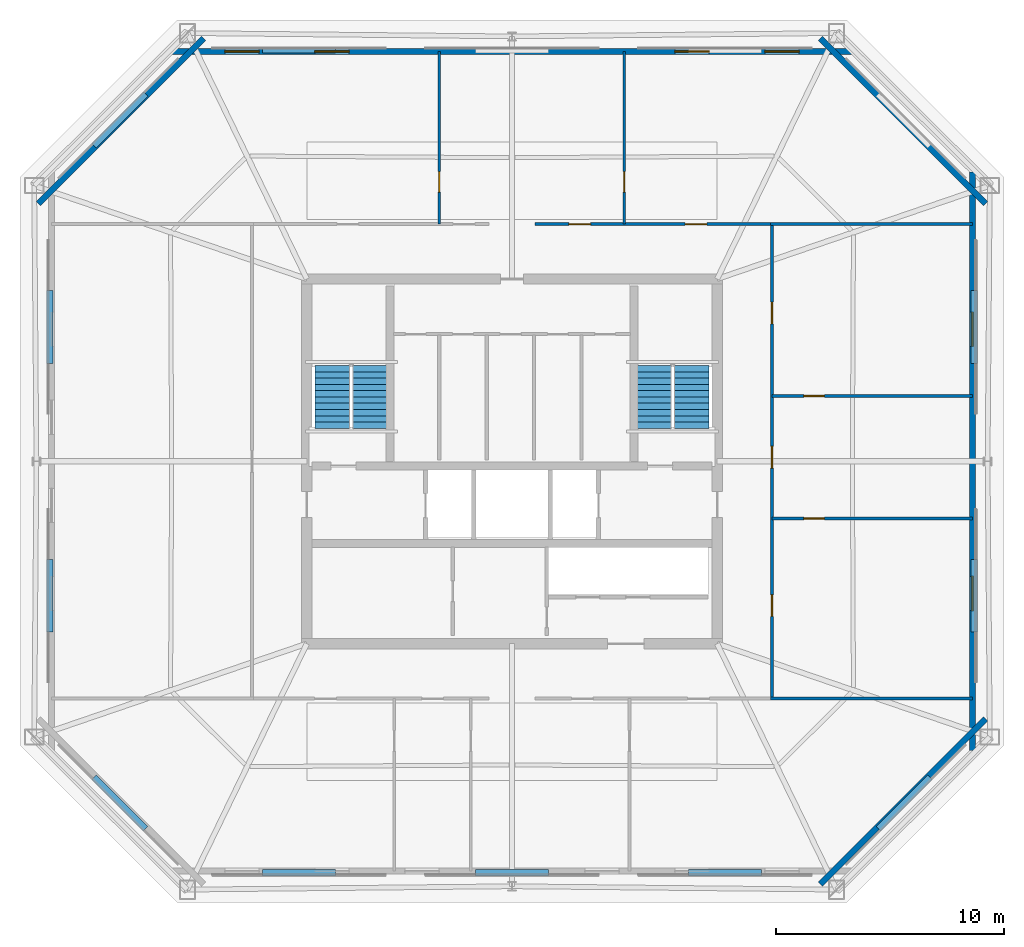
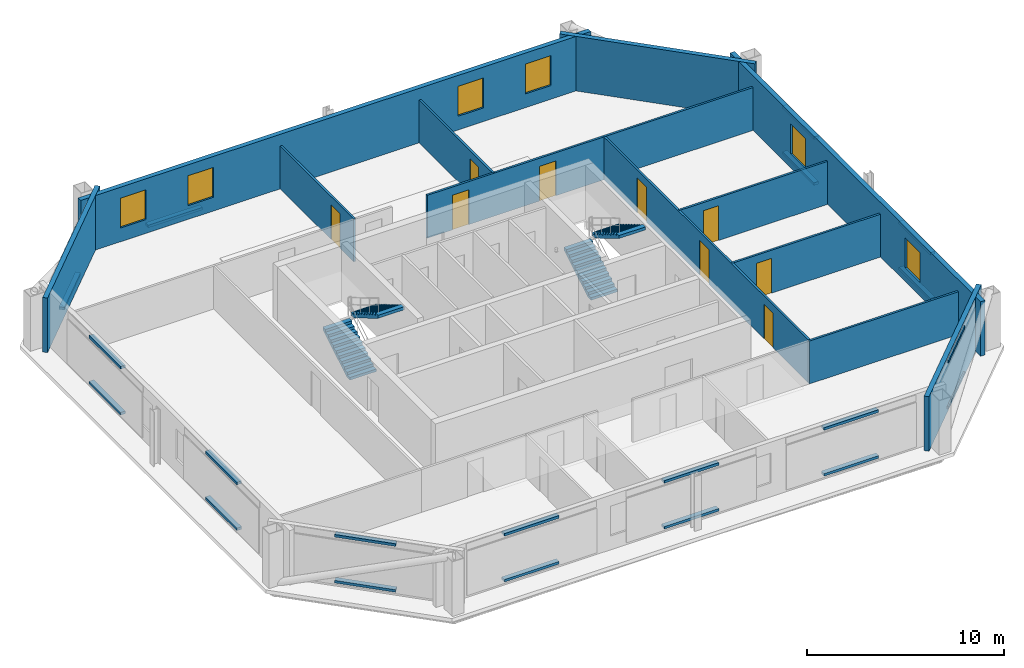
# One storey, part 4 of 7: 21 discrete accessories, 13 walls, 9 doors, 6 windows, 4 stair flights, 15 openings, 2 elements without a shape of their own.
"""IFC4 building model written with IfcOpenShell, lengths in metres."""

from ifc_helpers import new_model, si_unit, direction, frame, frame_2d, origin, origin_2d, place, context, subcontext, project, spatial, polyline, rectangle, outline, extrude, material, layer, layer_set, type_object, element, fill, aggregate, save


model = new_model("IFC4")

# Units and contexts
model_context = context("Model", 3, precision=1e-05, world=origin(), true_north=direction((0.0, 1.0)))
body_context = subcontext(model_context, "Body", "Model", "MODEL_VIEW")
ifc_project = project(units=[si_unit("LENGTHUNIT", "METRE"), si_unit("AREAUNIT", "SQUARE_METRE"), si_unit("VOLUMEUNIT", "CUBIC_METRE"), si_unit("PLANEANGLEUNIT", "RADIAN"), si_unit("MASSUNIT", "GRAM", prefix="KILO")], contexts=[model_context])

# Site, building, storey
site_placement = place(None, origin())
site = spatial("IfcSite", under=ifc_project, at=site_placement, CompositionType="ELEMENT")
building_placement = place(site_placement, origin())
building = spatial("IfcBuilding", under=site, at=building_placement, Name="Caelvoria Tower", CompositionType="ELEMENT")
storey_placement = place(building_placement, frame((0.0, 0.0, 213.0)))
storey = spatial("IfcBuildingStorey", under=building, at=storey_placement, Name="L56", CompositionType="ELEMENT", Elevation=213.0)

# Wall, opening, door
ifc_material_1 = material(Name="Acoustic Gypsum Board on Light-Gauge Stud", Category="gypsum")
ifc_layer_1 = layer(ifc_material_1, 0.1201171875, Name="Acoustic Gypsum Board on Light-Gauge Stud")
ifc_layer_set_1 = layer_set([ifc_layer_1], Name="Tenant Suite Acoustic Partition Wall 120 - Acoustic Gypsum Board on Light-Gauge Stud")
wall_type_1 = type_object("IfcWallType", Name="Tenant Suite Acoustic Partition Wall 120", PredefinedType="PARTITIONING", material=ifc_layer_set_1)
wall_1_placement = place(storey_placement, frame((42.807373046875, 42.409912109375, 0.0), z_axis=(0.0, 0.0, 1.0), x_axis=(0.0, 1.0, 0.0)))
wall_1 = element("IfcWall", 1, at=wall_1_placement, inside=storey, type_object=wall_type_1, Name="Interior Partition IW-L56-ND-00-0", PredefinedType="PARTITIONING", context=body_context, shape_type="SweptSolid", body=[
    extrude(rectangle(XDim=7.57373046875, YDim=0.1201171875, at=frame_2d((3.786865234375, 0.0))), origin(), (0.0, 0.0, 1.0), 2.655029296875),
])
opening_1_placement = place(wall_1_placement, frame((1.39990234375, 0.0, 0.0)))
opening_1 = element("IfcOpeningElement", 2, at=opening_1_placement, cuts=wall_1, Name="Opening ID-06", PredefinedType="OPENING", context=body_context, shape_type="SweptSolid", body=[
    extrude(rectangle(XDim=0.89990234375, YDim=2.14990234375, at=frame_2d((0.449951171875, 1.074951171875))), frame((0.0, 0.070068359375, 0.0), z_axis=(0.0, -1.0, 0.0), x_axis=(1.0, 0.0, 0.0)), (0.0, 0.0, 1.0), 0.14013671875),
])
ifc_material_2 = material(Name="Engineered Andean Oak Veneer Door", Category="wood")
door_type_1 = type_object("IfcDoorType", Name="Interior Timber Door 900x2150", OperationType="NOTDEFINED", PredefinedType="DOOR", material=ifc_material_2)
door_1_placement = place(opening_1_placement, origin())
door_1 = element("IfcDoor", 3, at=door_1_placement, inside=storey, type_object=door_type_1, Name="Interior Door DR-L56-NM-00-0", OperationType="SINGLE_SWING_RIGHT", OverallHeight=2.14990234375, OverallWidth=0.89990234375, PredefinedType="DOOR", context=body_context, shape_type="SweptSolid", body=[
    extrude(rectangle(XDim=0.89990234375, YDim=2.14990234375, at=frame_2d((0.449951171875, 1.074951171875))), frame((0.0, 0.02490234375, 0.0), z_axis=(0.0, -1.0, 0.0), x_axis=(1.0, 0.0, 0.0)), (0.0, 0.0, 1.0), 0.050048828125),
])
fill(opening_1, door_1)

wall_2_placement = place(storey_placement, frame((50.930419921875, 42.409912109375, 0.0), z_axis=(0.0, 0.0, 1.0), x_axis=(0.0, 1.0, 0.0)))
wall_2 = element("IfcWall", 4, at=wall_2_placement, inside=storey, type_object=wall_type_1, Name="Interior Partition IW-L56-ND-01-0", PredefinedType="PARTITIONING", context=body_context, shape_type="SweptSolid", body=[
    extrude(rectangle(XDim=7.57373046875, YDim=0.1201171875, at=frame_2d((3.786865234375, 0.0))), origin(), (0.0, 0.0, 1.0), 2.655029296875),
])
opening_2_placement = place(wall_2_placement, frame((1.39990234375, 0.0, 0.0)))
opening_2 = element("IfcOpeningElement", 5, at=opening_2_placement, cuts=wall_2, Name="Opening ID-06", PredefinedType="OPENING", context=body_context, shape_type="SweptSolid", body=[
    extrude(rectangle(XDim=0.89990234375, YDim=2.14990234375, at=frame_2d((0.449951171875, 1.074951171875))), frame((0.0, 0.070068359375, 0.0), z_axis=(0.0, -1.0, 0.0), x_axis=(1.0, 0.0, 0.0)), (0.0, 0.0, 1.0), 0.14013671875),
])
door_2_placement = place(opening_2_placement, origin())
door_2 = element("IfcDoor", 6, at=door_2_placement, inside=storey, type_object=door_type_1, Name="Interior Door DR-L56-NM-01-0", OperationType="SINGLE_SWING_LEFT", OverallHeight=2.14990234375, OverallWidth=0.89990234375, PredefinedType="DOOR", context=body_context, shape_type="SweptSolid", body=[
    extrude(rectangle(XDim=0.89990234375, YDim=2.14990234375, at=frame_2d((0.449951171875, 1.074951171875))), frame((0.0, 0.02490234375, 0.0), z_axis=(0.0, -1.0, 0.0), x_axis=(1.0, 0.0, 0.0)), (0.0, 0.0, 1.0), 0.050048828125),
])
fill(opening_2, door_2)

# Wall, openings, doors
wall_3_placement = place(storey_placement, frame((47.02001953125, 42.409912109375, 0.0), z_axis=(0.0, 0.0, 1.0), x_axis=(1.0, 0.0, 0.0)))
wall_3 = element("IfcWall", 7, at=wall_3_placement, inside=storey, type_object=wall_type_1, Name="Interior Partition IW-L56-NCW-1", PredefinedType="PARTITIONING", context=body_context, shape_type="SweptSolid", body=[
    extrude(rectangle(XDim=10.330078125, YDim=0.1201171875, at=frame_2d((5.1650390625, 0.0))), origin(), (0.0, 0.0, 1.0), 2.655029296875),
])
opening_3_placement = place(wall_3_placement, frame((1.480224609375, 0.0, 0.0)))
opening_3 = element("IfcOpeningElement", 8, at=opening_3_placement, cuts=wall_3, Name="Opening ID-05", PredefinedType="OPENING", context=body_context, shape_type="SweptSolid", body=[
    extrude(rectangle(XDim=0.949951171875, YDim=2.14990234375, at=frame_2d((0.47509765625, 1.074951171875))), frame((0.0, 0.070068359375, 0.0), z_axis=(0.0, -1.0, 0.0), x_axis=(1.0, 0.0, 0.0)), (0.0, 0.0, 1.0), 0.14013671875),
])
opening_4_placement = place(wall_3_placement, frame((6.5751953125, 0.0, 0.0)))
opening_4 = element("IfcOpeningElement", 9, at=opening_4_placement, cuts=wall_3, Name="Opening ID-05", PredefinedType="OPENING", context=body_context, shape_type="SweptSolid", body=[
    extrude(rectangle(XDim=0.949951171875, YDim=2.14990234375, at=frame_2d((0.47509765625, 1.074951171875))), frame((0.0, 0.070068359375, 0.0), z_axis=(0.0, -1.0, 0.0), x_axis=(1.0, 0.0, 0.0)), (0.0, 0.0, 1.0), 0.14013671875),
])
door_type_2 = type_object("IfcDoorType", Name="Interior Timber Door 950x2150", OperationType="NOTDEFINED", PredefinedType="DOOR", material=ifc_material_2)
door_3_placement = place(opening_3_placement, origin())
door_3 = element("IfcDoor", 10, at=door_3_placement, inside=storey, type_object=door_type_2, Name="Interior Door DR-L56-NC-01-1", OperationType="SINGLE_SWING_LEFT", OverallHeight=2.14990234375, OverallWidth=0.949951171875, PredefinedType="DOOR", context=body_context, shape_type="SweptSolid", body=[
    extrude(rectangle(XDim=0.949951171875, YDim=2.14990234375, at=frame_2d((0.47509765625, 1.074951171875))), frame((0.0, 0.02490234375, 0.0), z_axis=(0.0, -1.0, 0.0), x_axis=(1.0, 0.0, 0.0)), (0.0, 0.0, 1.0), 0.050048828125),
])
fill(opening_3, door_3)
door_4_placement = place(opening_4_placement, origin())
door_4 = element("IfcDoor", 11, at=door_4_placement, inside=storey, type_object=door_type_2, Name="Interior Door DR-L56-NC-02-0", OperationType="SINGLE_SWING_LEFT", OverallHeight=2.14990234375, OverallWidth=0.949951171875, PredefinedType="DOOR", context=body_context, shape_type="SweptSolid", body=[
    extrude(rectangle(XDim=0.949951171875, YDim=2.14990234375, at=frame_2d((0.47509765625, 1.074951171875))), frame((0.0, 0.02490234375, 0.0), z_axis=(0.0, -1.0, 0.0), x_axis=(1.0, 0.0, 0.0)), (0.0, 0.0, 1.0), 0.050048828125),
])
fill(opening_4, door_4)

# Wall, opening, door
wall_4_placement = place(storey_placement, frame((57.409912109375, 29.49169921875, 0.0), z_axis=(0.0, 0.0, 1.0), x_axis=(1.0, 0.0, 0.0)))
wall_4 = element("IfcWall", 12, at=wall_4_placement, inside=storey, type_object=wall_type_1, Name="Interior Partition IW-L56-ED-00-0", PredefinedType="PARTITIONING", context=body_context, shape_type="SweptSolid", body=[
    extrude(rectangle(XDim=8.79638671875, YDim=0.1201171875, at=frame_2d((4.398193359375, 0.0))), origin(), (0.0, 0.0, 1.0), 2.655029296875),
])
opening_5_placement = place(wall_4_placement, frame((1.39990234375, 0.0, 0.0)))
opening_5 = element("IfcOpeningElement", 13, at=opening_5_placement, cuts=wall_4, Name="Opening ID-06", PredefinedType="OPENING", context=body_context, shape_type="SweptSolid", body=[
    extrude(rectangle(XDim=0.89990234375, YDim=2.14990234375, at=frame_2d((0.449951171875, 1.074951171875))), frame((0.0, 0.070068359375, 0.0), z_axis=(0.0, -1.0, 0.0), x_axis=(1.0, 0.0, 0.0)), (0.0, 0.0, 1.0), 0.14013671875),
])
door_5_placement = place(opening_5_placement, origin())
door_5 = element("IfcDoor", 14, at=door_5_placement, inside=storey, type_object=door_type_1, Name="Interior Door DR-L56-EM-00-0", OperationType="SINGLE_SWING_RIGHT", OverallHeight=2.14990234375, OverallWidth=0.89990234375, PredefinedType="DOOR", context=body_context, shape_type="SweptSolid", body=[
    extrude(rectangle(XDim=0.89990234375, YDim=2.14990234375, at=frame_2d((0.449951171875, 1.074951171875))), frame((0.0, 0.02490234375, 0.0), z_axis=(0.0, -1.0, 0.0), x_axis=(1.0, 0.0, 0.0)), (0.0, 0.0, 1.0), 0.050048828125),
])
fill(opening_5, door_5)

wall_5_placement = place(storey_placement, frame((57.409912109375, 34.8671875, 0.0), z_axis=(0.0, 0.0, 1.0), x_axis=(1.0, 0.0, 0.0)))
wall_5 = element("IfcWall", 15, at=wall_5_placement, inside=storey, type_object=wall_type_1, Name="Interior Partition IW-L56-ED-01-0", PredefinedType="PARTITIONING", context=body_context, shape_type="SweptSolid", body=[
    extrude(rectangle(XDim=8.79638671875, YDim=0.1201171875, at=frame_2d((4.398193359375, 0.0))), origin(), (0.0, 0.0, 1.0), 2.655029296875),
])
opening_6_placement = place(wall_5_placement, frame((1.39990234375, 0.0, 0.0)))
opening_6 = element("IfcOpeningElement", 16, at=opening_6_placement, cuts=wall_5, Name="Opening ID-06", PredefinedType="OPENING", context=body_context, shape_type="SweptSolid", body=[
    extrude(rectangle(XDim=0.89990234375, YDim=2.14990234375, at=frame_2d((0.449951171875, 1.074951171875))), frame((0.0, 0.070068359375, 0.0), z_axis=(0.0, -1.0, 0.0), x_axis=(1.0, 0.0, 0.0)), (0.0, 0.0, 1.0), 0.14013671875),
])
door_6_placement = place(opening_6_placement, origin())
door_6 = element("IfcDoor", 17, at=door_6_placement, inside=storey, type_object=door_type_1, Name="Interior Door DR-L56-EM-01-0", OperationType="SINGLE_SWING_LEFT", OverallHeight=2.14990234375, OverallWidth=0.89990234375, PredefinedType="DOOR", context=body_context, shape_type="SweptSolid", body=[
    extrude(rectangle(XDim=0.89990234375, YDim=2.14990234375, at=frame_2d((0.449951171875, 1.074951171875))), frame((0.0, 0.02490234375, 0.0), z_axis=(0.0, -1.0, 0.0), x_axis=(1.0, 0.0, 0.0)), (0.0, 0.0, 1.0), 0.050048828125),
])
fill(opening_6, door_6)

# Wall, openings, doors
wall_6_placement = place(storey_placement, frame((57.409912109375, 21.64990234375, 0.0), z_axis=(0.0, 0.0, 1.0), x_axis=(0.0, 1.0, 0.0)))
wall_6 = element("IfcWall", 18, at=wall_6_placement, inside=storey, type_object=wall_type_1, Name="Interior Partition IW-L56-ECW-0", PredefinedType="PARTITIONING", context=body_context, shape_type="SweptSolid", body=[
    extrude(rectangle(XDim=20.7001953125, YDim=0.1201171875, at=frame_2d((10.35009765625, 0.0))), origin(), (0.0, 0.0, 1.0), 2.655029296875),
])
opening_7_placement = place(wall_6_placement, frame((3.5458984375, 0.0, 0.0)))
opening_7 = element("IfcOpeningElement", 19, at=opening_7_placement, cuts=wall_6, Name="Opening ID-05", PredefinedType="OPENING", context=body_context, shape_type="SweptSolid", body=[
    extrude(rectangle(XDim=0.949951171875, YDim=2.14990234375, at=frame_2d((0.47509765625, 1.074951171875))), frame((0.0, 0.070068359375, 0.0), z_axis=(0.0, -1.0, 0.0), x_axis=(1.0, 0.0, 0.0)), (0.0, 0.0, 1.0), 0.14013671875),
])
opening_8_placement = place(wall_6_placement, frame((10.054443359375, 0.0, 0.0)))
opening_8 = element("IfcOpeningElement", 20, at=opening_8_placement, cuts=wall_6, Name="Opening ID-05", PredefinedType="OPENING", context=body_context, shape_type="SweptSolid", body=[
    extrude(rectangle(XDim=0.949951171875, YDim=2.14990234375, at=frame_2d((0.47509765625, 1.074951171875))), frame((0.0, 0.070068359375, 0.0), z_axis=(0.0, -1.0, 0.0), x_axis=(1.0, 0.0, 0.0)), (0.0, 0.0, 1.0), 0.14013671875),
])
opening_9_placement = place(wall_6_placement, frame((16.383544921875, 0.0, 0.0)))
opening_9 = element("IfcOpeningElement", 21, at=opening_9_placement, cuts=wall_6, Name="Opening ID-05", PredefinedType="OPENING", context=body_context, shape_type="SweptSolid", body=[
    extrude(rectangle(XDim=0.949951171875, YDim=2.14990234375, at=frame_2d((0.47509765625, 1.074951171875))), frame((0.0, 0.070068359375, 0.0), z_axis=(0.0, -1.0, 0.0), x_axis=(1.0, 0.0, 0.0)), (0.0, 0.0, 1.0), 0.14013671875),
])
door_7_placement = place(opening_7_placement, origin())
door_7 = element("IfcDoor", 22, at=door_7_placement, inside=storey, type_object=door_type_2, Name="Interior Door DR-L56-EC-00-0", OperationType="SINGLE_SWING_LEFT", OverallHeight=2.14990234375, OverallWidth=0.949951171875, PredefinedType="DOOR", context=body_context, shape_type="SweptSolid", body=[
    extrude(rectangle(XDim=0.949951171875, YDim=2.14990234375, at=frame_2d((0.47509765625, 1.074951171875))), frame((0.0, 0.02490234375, 0.0), z_axis=(0.0, -1.0, 0.0), x_axis=(1.0, 0.0, 0.0)), (0.0, 0.0, 1.0), 0.050048828125),
])
fill(opening_7, door_7)
door_8_placement = place(opening_8_placement, origin())
door_8 = element("IfcDoor", 23, at=door_8_placement, inside=storey, type_object=door_type_2, Name="Interior Door DR-L56-EC-01-0", OperationType="SINGLE_SWING_RIGHT", OverallHeight=2.14990234375, OverallWidth=0.949951171875, PredefinedType="DOOR", context=body_context, shape_type="SweptSolid", body=[
    extrude(rectangle(XDim=0.949951171875, YDim=2.14990234375, at=frame_2d((0.47509765625, 1.074951171875))), frame((0.0, 0.02490234375, 0.0), z_axis=(0.0, -1.0, 0.0), x_axis=(1.0, 0.0, 0.0)), (0.0, 0.0, 1.0), 0.050048828125),
])
fill(opening_8, door_8)
door_9_placement = place(opening_9_placement, origin())
door_9 = element("IfcDoor", 24, at=door_9_placement, inside=storey, type_object=door_type_2, Name="Interior Door DR-L56-EC-02-0", OperationType="SINGLE_SWING_LEFT", OverallHeight=2.14990234375, OverallWidth=0.949951171875, PredefinedType="DOOR", context=body_context, shape_type="SweptSolid", body=[
    extrude(rectangle(XDim=0.949951171875, YDim=2.14990234375, at=frame_2d((0.47509765625, 1.074951171875))), frame((0.0, 0.02490234375, 0.0), z_axis=(0.0, -1.0, 0.0), x_axis=(1.0, 0.0, 0.0)), (0.0, 0.0, 1.0), 0.050048828125),
])
fill(opening_9, door_9)

# Walls
for number, where, z_axis, x_axis, name in (
    (25, (57.35009765625, 21.590087890625, 0.0), (0.0, 0.0, 1.0), (1.0, 0.0, 0.0), "Interior Partition IW-L56-BSE-0"),
    (26, (57.35009765625, 42.409912109375, 0.0), (0.0, 0.0, 1.0), (1.0, 0.0, 0.0), "Interior Partition IW-L56-BNE-0"),
):
    element("IfcWall", number, at=place(storey_placement, frame(where, z_axis=z_axis, x_axis=x_axis)), inside=storey, type_object=wall_type_1, Name=name, PredefinedType="PARTITIONING", context=body_context, shape_type="SweptSolid", body=[
        extrude(rectangle(XDim=8.856201171875, YDim=0.1201171875, at=frame_2d((4.42822265625, 0.0))), origin(), (0.0, 0.0, 1.0), 2.655029296875),
    ])
ifc_material_3 = material(Name="Precast Concrete C40/50 with Bronze Cladding", Category="concrete")
ifc_layer_2 = layer(ifc_material_3, 0.264892578125, Name="Precast Concrete C40/50 with Bronze Cladding")
ifc_layer_set_2 = layer_set([ifc_layer_2], Name="Upper Taper Precast Concrete C40/50 Bronze Facade Wall 265 - Precast Concrete C40/50 with Bronze Cladding")
wall_type_2 = type_object("IfcWallType", Name="Upper Taper Precast Concrete C40/50 Bronze Facade Wall 265", PredefinedType="STANDARD", material=ifc_layer_set_2)
wall_7_placement = place(storey_placement, frame((59.53173828125, 13.4423828125, 0.0), z_axis=(0.0, 0.0, 1.0), x_axis=(0.707106781187, 0.707106781187, 0.0)))
element("IfcWall", 27, at=wall_7_placement, inside=storey, type_object=wall_type_2, Name="Exterior Facade Wall L56-E1", PredefinedType="STANDARD", context=body_context, shape_type="SweptSolid", body=[
    extrude(rectangle(XDim=10.2509765625, YDim=0.264892578125, at=frame_2d((5.12548828125, 0.0))), origin(), (0.0, 0.0, 1.0), 3.375),
])

# Wall, openings, windows
wall_8_placement = place(storey_placement, frame((66.206298828125, 19.305419921875, 0.0), z_axis=(0.0, 0.0, 1.0), x_axis=(0.0, 1.0, 0.0)))
wall_8 = element("IfcWall", 28, at=wall_8_placement, inside=storey, type_object=wall_type_2, Name="Exterior Facade Wall L56-E2", PredefinedType="STANDARD", context=body_context, shape_type="SweptSolid", body=[
    extrude(rectangle(XDim=25.38916015625, YDim=0.264892578125, at=frame_2d((12.694580078125, 0.0))), origin(), (0.0, 0.0, 1.0), 3.375),
])
opening_10_placement = place(wall_8_placement, frame((6.147216796875, 0.0, 0.85009765625)))
opening_10 = element("IfcOpeningElement", 29, at=opening_10_placement, cuts=wall_8, Name="Opening WN-03", PredefinedType="OPENING", context=body_context, shape_type="SweptSolid", body=[
    extrude(rectangle(XDim=1.5, YDim=1.85009765625, at=frame_2d((0.75, 0.925048828125))), frame((0.0, 0.142333984375, 0.0), z_axis=(0.0, -1.0, 0.0), x_axis=(1.0, 0.0, 0.0)), (0.0, 0.0, 1.0), 0.284912109375),
])
opening_11_placement = place(wall_8_placement, frame((17.74169921875, 0.0, 0.85009765625)))
opening_11 = element("IfcOpeningElement", 30, at=opening_11_placement, cuts=wall_8, Name="Opening WN-03", PredefinedType="OPENING", context=body_context, shape_type="SweptSolid", body=[
    extrude(rectangle(XDim=1.5, YDim=1.85009765625, at=frame_2d((0.75, 0.925048828125))), frame((0.0, 0.142333984375, 0.0), z_axis=(0.0, -1.0, 0.0), x_axis=(1.0, 0.0, 0.0)), (0.0, 0.0, 1.0), 0.284912109375),
])
ifc_material_4 = material(Name="Low-E Tinted Glass in Bronze Aluminium Frame", Category="aluminium")
window_type = type_object("IfcWindowType", Name="Upper Taper Vision Window 1500x1850", PartitioningType="SINGLE_PANEL", PredefinedType="WINDOW", material=ifc_material_4)
window_1_placement = place(opening_10_placement, origin())
window_1 = element("IfcWindow", 31, at=window_1_placement, inside=storey, type_object=window_type, Name="Facade Window L56-E2-01", OverallHeight=1.85009765625, OverallWidth=1.5, PartitioningType="SINGLE_PANEL", PredefinedType="WINDOW", context=body_context, shape_type="SweptSolid", body=[
    extrude(rectangle(XDim=1.5, YDim=1.85009765625, at=frame_2d((0.75, 0.925048828125))), frame((0.0, 0.030029296875, 0.0), z_axis=(0.0, -1.0, 0.0), x_axis=(1.0, 0.0, 0.0)), (0.0, 0.0, 1.0), 0.06005859375),
])
fill(opening_10, window_1)
window_2_placement = place(opening_11_placement, origin())
window_2 = element("IfcWindow", 32, at=window_2_placement, inside=storey, type_object=window_type, Name="Facade Window L56-E2-04", OverallHeight=1.85009765625, OverallWidth=1.5, PartitioningType="SINGLE_PANEL", PredefinedType="WINDOW", context=body_context, shape_type="SweptSolid", body=[
    extrude(rectangle(XDim=1.5, YDim=1.85009765625, at=frame_2d((0.75, 0.925048828125))), frame((0.0, 0.030029296875, 0.0), z_axis=(0.0, -1.0, 0.0), x_axis=(1.0, 0.0, 0.0)), (0.0, 0.0, 1.0), 0.06005859375),
])
fill(opening_11, window_2)

# Wall
wall_9_placement = place(storey_placement, frame((66.7802734375, 43.30908203125, 0.0), z_axis=(0.0, 0.0, 1.0), x_axis=(-0.707106781187, 0.707106781187, 0.0)))
element("IfcWall", 33, at=wall_9_placement, inside=storey, type_object=wall_type_2, Name="Exterior Facade Wall L56-E3", PredefinedType="STANDARD", context=body_context, shape_type="SweptSolid", body=[
    extrude(rectangle(XDim=10.2509765625, YDim=0.264892578125, at=frame_2d((5.12548828125, 0.0))), origin(), (0.0, 0.0, 1.0), 3.375),
])

# Wall, openings, windows
wall_10_placement = place(storey_placement, frame((60.917236328125, 49.983642578125, 0.0), z_axis=(0.0, 0.0, 1.0), x_axis=(-1.0, 0.0, 0.0)))
wall_10 = element("IfcWall", 34, at=wall_10_placement, inside=storey, type_object=wall_type_2, Name="Exterior Facade Wall L56-E4", PredefinedType="STANDARD", context=body_context, shape_type="SweptSolid", body=[
    extrude(rectangle(XDim=29.83447265625, YDim=0.264892578125, at=frame_2d((14.917236328125, 0.0))), origin(), (0.0, 0.0, 1.0), 3.375),
])
opening_12_placement = place(wall_10_placement, frame((2.323974609375, 0.0, 0.85009765625)))
opening_12 = element("IfcOpeningElement", 35, at=opening_12_placement, cuts=wall_10, Name="Opening WN-03", PredefinedType="OPENING", context=body_context, shape_type="SweptSolid", body=[
    extrude(rectangle(XDim=1.5, YDim=1.85009765625, at=frame_2d((0.75, 0.925048828125))), frame((0.0, 0.142333984375, 0.0), z_axis=(0.0, -1.0, 0.0), x_axis=(1.0, 0.0, 0.0)), (0.0, 0.0, 1.0), 0.284912109375),
])
opening_13_placement = place(wall_10_placement, frame((6.271728515625, 0.0, 0.85009765625)))
opening_13 = element("IfcOpeningElement", 36, at=opening_13_placement, cuts=wall_10, Name="Opening WN-03", PredefinedType="OPENING", context=body_context, shape_type="SweptSolid", body=[
    extrude(rectangle(XDim=1.5, YDim=1.85009765625, at=frame_2d((0.75, 0.925048828125))), frame((0.0, 0.142333984375, 0.0), z_axis=(0.0, -1.0, 0.0), x_axis=(1.0, 0.0, 0.0)), (0.0, 0.0, 1.0), 0.284912109375),
])
opening_14_placement = place(wall_10_placement, frame((22.06298828125, 0.0, 0.85009765625)))
opening_14 = element("IfcOpeningElement", 37, at=opening_14_placement, cuts=wall_10, Name="Opening WN-03", PredefinedType="OPENING", context=body_context, shape_type="SweptSolid", body=[
    extrude(rectangle(XDim=1.5, YDim=1.85009765625, at=frame_2d((0.75, 0.925048828125))), frame((0.0, 0.142333984375, 0.0), z_axis=(0.0, -1.0, 0.0), x_axis=(1.0, 0.0, 0.0)), (0.0, 0.0, 1.0), 0.284912109375),
])
opening_15_placement = place(wall_10_placement, frame((26.0107421875, 0.0, 0.85009765625)))
opening_15 = element("IfcOpeningElement", 38, at=opening_15_placement, cuts=wall_10, Name="Opening WN-03", PredefinedType="OPENING", context=body_context, shape_type="SweptSolid", body=[
    extrude(rectangle(XDim=1.5, YDim=1.85009765625, at=frame_2d((0.75, 0.925048828125))), frame((0.0, 0.142333984375, 0.0), z_axis=(0.0, -1.0, 0.0), x_axis=(1.0, 0.0, 0.0)), (0.0, 0.0, 1.0), 0.284912109375),
])
window_3_placement = place(opening_12_placement, origin())
window_3 = element("IfcWindow", 39, at=window_3_placement, inside=storey, type_object=window_type, Name="Facade Window L56-E4-00", OverallHeight=1.85009765625, OverallWidth=1.5, PartitioningType="SINGLE_PANEL", PredefinedType="WINDOW", context=body_context, shape_type="SweptSolid", body=[
    extrude(rectangle(XDim=1.5, YDim=1.85009765625, at=frame_2d((0.75, 0.925048828125))), frame((0.0, 0.030029296875, 0.0), z_axis=(0.0, -1.0, 0.0), x_axis=(1.0, 0.0, 0.0)), (0.0, 0.0, 1.0), 0.06005859375),
])
fill(opening_12, window_3)
window_4_placement = place(opening_13_placement, origin())
window_4 = element("IfcWindow", 40, at=window_4_placement, inside=storey, type_object=window_type, Name="Facade Window L56-E4-01", OverallHeight=1.85009765625, OverallWidth=1.5, PartitioningType="SINGLE_PANEL", PredefinedType="WINDOW", context=body_context, shape_type="SweptSolid", body=[
    extrude(rectangle(XDim=1.5, YDim=1.85009765625, at=frame_2d((0.75, 0.925048828125))), frame((0.0, 0.030029296875, 0.0), z_axis=(0.0, -1.0, 0.0), x_axis=(1.0, 0.0, 0.0)), (0.0, 0.0, 1.0), 0.06005859375),
])
fill(opening_13, window_4)
window_5_placement = place(opening_14_placement, origin())
window_5 = element("IfcWindow", 41, at=window_5_placement, inside=storey, type_object=window_type, Name="Facade Window L56-E4-05", OverallHeight=1.85009765625, OverallWidth=1.5, PartitioningType="SINGLE_PANEL", PredefinedType="WINDOW", context=body_context, shape_type="SweptSolid", body=[
    extrude(rectangle(XDim=1.5, YDim=1.85009765625, at=frame_2d((0.75, 0.925048828125))), frame((0.0, 0.030029296875, 0.0), z_axis=(0.0, -1.0, 0.0), x_axis=(1.0, 0.0, 0.0)), (0.0, 0.0, 1.0), 0.06005859375),
])
fill(opening_14, window_5)
window_6_placement = place(opening_15_placement, origin())
window_6 = element("IfcWindow", 42, at=window_6_placement, inside=storey, type_object=window_type, Name="Facade Window L56-E4-06", OverallHeight=1.85009765625, OverallWidth=1.5, PartitioningType="SINGLE_PANEL", PredefinedType="WINDOW", context=body_context, shape_type="SweptSolid", body=[
    extrude(rectangle(XDim=1.5, YDim=1.85009765625, at=frame_2d((0.75, 0.925048828125))), frame((0.0, 0.030029296875, 0.0), z_axis=(0.0, -1.0, 0.0), x_axis=(1.0, 0.0, 0.0)), (0.0, 0.0, 1.0), 0.06005859375),
])
fill(opening_15, window_6)

# Wall
wall_11_placement = place(storey_placement, frame((32.46826171875, 50.5576171875, 0.0), z_axis=(0.0, 0.0, 1.0), x_axis=(-0.707106781187, -0.707106781187, 0.0)))
element("IfcWall", 43, at=wall_11_placement, inside=storey, type_object=wall_type_2, Name="Exterior Facade Wall L56-E5", PredefinedType="STANDARD", context=body_context, shape_type="SweptSolid", body=[
    extrude(rectangle(XDim=10.2509765625, YDim=0.264892578125, at=frame_2d((5.12548828125, 0.0))), origin(), (0.0, 0.0, 1.0), 3.375),
])

# Stair, stair flights
ifc_material_5 = material(Name="Concrete C40/50", Category="concrete")
stair_type = type_object("IfcStairType", Name="Core Smokeproof Dogleg Stair Concrete C40/50", PredefinedType="HALF_TURN_STAIR", material=ifc_material_5)
stair_1_placement = place(storey_placement, origin())
stair_1 = element("IfcStair", 44, at=stair_1_placement, inside=storey, type_object=stair_type, Name="ST-01 Smokeproof Exit Stair L56", PredefinedType="HALF_TURN_STAIR")
ifc_material_6 = material(Name="Precast Concrete C40/50", Category="concrete")
stair_flight_type = type_object("IfcStairFlightType", Name="Precast Concrete C40/50 Stair Flight 1480", PredefinedType="STRAIGHT", material=ifc_material_6)
stair_flight_1_placement = place(storey_placement, frame((38.1298828125, 33.449951171875, 0.0), z_axis=(0.0, 0.0, 1.0), x_axis=(0.0, 1.0, 0.0)))
stair_flight_1 = element("IfcStairFlight", 45, at=stair_flight_1_placement, type_object=stair_flight_type, Name="ST-01 flight 1", NumberOfRisers=11, NumberOfTreads=10, PredefinedType="STRAIGHT", RiserHeight=0.1636, TreadLength=0.275, context=body_context, shape_type="SweptSolid", body=[
    extrude(outline(polyline([(0.0, 0.0), (0.0, 0.16357421875), (0.27490234375, 0.16357421875), (0.27490234375, 0.3271484375), (0.550048828125, 0.3271484375), (0.550048828125, 0.49072265625), (0.824951171875, 0.49072265625), (0.824951171875, 0.654296875), (1.10009765625, 0.654296875), (1.10009765625, 0.818115234375), (1.375, 0.818115234375), (1.375, 0.981689453125), (1.64990234375, 0.981689453125), (1.64990234375, 1.145263671875), (1.925048828125, 1.145263671875), (1.925048828125, 1.308837890625), (2.199951171875, 1.308837890625), (2.199951171875, 1.472412109375), (2.47509765625, 1.472412109375), (2.47509765625, 1.635986328125), (2.75, 1.635986328125), (2.75, 1.799560546875), (2.75, 1.449951171875), (0.312744140625, 0.0), (0.0, 0.0)])), frame((0.0, 0.77001953125, 0.0), z_axis=(0.0, -1.0, 0.0), x_axis=(1.0, 0.0, 0.0)), (0.0, 0.0, 1.0), 1.5400390625),
])
stair_flight_2_placement = place(storey_placement, frame((39.77001953125, 36.199951171875, 1.800048828125), z_axis=(0.0, 0.0, 1.0), x_axis=(0.0, -1.0, 0.0)))
stair_flight_2 = element("IfcStairFlight", 46, at=stair_flight_2_placement, type_object=stair_flight_type, Name="ST-01 flight 2", NumberOfRisers=11, NumberOfTreads=10, PredefinedType="STRAIGHT", RiserHeight=0.1636, TreadLength=0.275, context=body_context, shape_type="SweptSolid", body=[
    extrude(outline(polyline([(0.0, 0.0), (0.0, 0.16357421875), (0.27490234375, 0.16357421875), (0.27490234375, 0.3271484375), (0.550048828125, 0.3271484375), (0.550048828125, 0.49072265625), (0.824951171875, 0.49072265625), (0.824951171875, 0.654296875), (1.10009765625, 0.654296875), (1.10009765625, 0.818115234375), (1.375, 0.818115234375), (1.375, 0.981689453125), (1.64990234375, 0.981689453125), (1.64990234375, 1.145263671875), (1.925048828125, 1.145263671875), (1.925048828125, 1.308837890625), (2.199951171875, 1.308837890625), (2.199951171875, 1.472412109375), (2.47509765625, 1.472412109375), (2.47509765625, 1.635986328125), (2.75, 1.635986328125), (2.75, 1.799560546875), (2.75, 1.449951171875), (0.312744140625, 0.0), (0.0, 0.0)])), frame((0.0, 0.77001953125, 0.0), z_axis=(0.0, -1.0, 0.0), x_axis=(1.0, 0.0, 0.0)), (0.0, 0.0, 1.0), 1.5400390625),
])
aggregate(stair_1, [stair_flight_1, stair_flight_2])

stair_2_placement = place(storey_placement, origin())
stair_2 = element("IfcStair", 47, at=stair_2_placement, inside=storey, type_object=stair_type, Name="ST-02 Smokeproof Exit Stair L56", PredefinedType="HALF_TURN_STAIR")
stair_flight_3_placement = place(storey_placement, frame((52.22998046875, 33.449951171875, 0.0), z_axis=(0.0, 0.0, 1.0), x_axis=(0.0, 1.0, 0.0)))
stair_flight_3 = element("IfcStairFlight", 48, at=stair_flight_3_placement, type_object=stair_flight_type, Name="ST-02 flight 1", NumberOfRisers=11, NumberOfTreads=10, PredefinedType="STRAIGHT", RiserHeight=0.1636, TreadLength=0.275, context=body_context, shape_type="SweptSolid", body=[
    extrude(outline(polyline([(0.0, 0.0), (0.0, 0.16357421875), (0.27490234375, 0.16357421875), (0.27490234375, 0.3271484375), (0.550048828125, 0.3271484375), (0.550048828125, 0.49072265625), (0.824951171875, 0.49072265625), (0.824951171875, 0.654296875), (1.10009765625, 0.654296875), (1.10009765625, 0.818115234375), (1.375, 0.818115234375), (1.375, 0.981689453125), (1.64990234375, 0.981689453125), (1.64990234375, 1.145263671875), (1.925048828125, 1.145263671875), (1.925048828125, 1.308837890625), (2.199951171875, 1.308837890625), (2.199951171875, 1.472412109375), (2.47509765625, 1.472412109375), (2.47509765625, 1.635986328125), (2.75, 1.635986328125), (2.75, 1.799560546875), (2.75, 1.449951171875), (0.312744140625, 0.0), (0.0, 0.0)])), frame((0.0, 0.77001953125, 0.0), z_axis=(0.0, -1.0, 0.0), x_axis=(1.0, 0.0, 0.0)), (0.0, 0.0, 1.0), 1.5400390625),
])
stair_flight_4_placement = place(storey_placement, frame((53.8701171875, 36.199951171875, 1.800048828125), z_axis=(0.0, 0.0, 1.0), x_axis=(0.0, -1.0, 0.0)))
stair_flight_4 = element("IfcStairFlight", 49, at=stair_flight_4_placement, type_object=stair_flight_type, Name="ST-02 flight 2", NumberOfRisers=11, NumberOfTreads=10, PredefinedType="STRAIGHT", RiserHeight=0.1636, TreadLength=0.275, context=body_context, shape_type="SweptSolid", body=[
    extrude(outline(polyline([(0.0, 0.0), (0.0, 0.16357421875), (0.27490234375, 0.16357421875), (0.27490234375, 0.3271484375), (0.550048828125, 0.3271484375), (0.550048828125, 0.49072265625), (0.824951171875, 0.49072265625), (0.824951171875, 0.654296875), (1.10009765625, 0.654296875), (1.10009765625, 0.818115234375), (1.375, 0.818115234375), (1.375, 0.981689453125), (1.64990234375, 0.981689453125), (1.64990234375, 1.145263671875), (1.925048828125, 1.145263671875), (1.925048828125, 1.308837890625), (2.199951171875, 1.308837890625), (2.199951171875, 1.472412109375), (2.47509765625, 1.472412109375), (2.47509765625, 1.635986328125), (2.75, 1.635986328125), (2.75, 1.799560546875), (2.75, 1.449951171875), (0.312744140625, 0.0), (0.0, 0.0)])), frame((0.0, 0.77001953125, 0.0), z_axis=(0.0, -1.0, 0.0), x_axis=(1.0, 0.0, 0.0)), (0.0, 0.0, 1.0), 1.5400390625),
])
aggregate(stair_2, [stair_flight_3, stair_flight_4])

# Discrete accessories
ifc_material_7 = material(Name="Anodised Bronze Stainless Bracket", Category="bronze")
discrete_accessory_type = type_object("IfcDiscreteAccessoryType", Name="Solar Screen Outrigger Support Bracket", PredefinedType="BRACKET", material=ifc_material_7)
for number, where, z_axis, x_axis, name in (
    (50, (36.655029296875, 13.943603515625, 0.240234375), (0.0, 0.0, 1.0), (1.0, 0.0, 0.0), "Solar Screen Bracket L56-E0-00"),
    (51, (36.655029296875, 13.943603515625, 3.0751953125), (0.0, 0.0, 1.0), (1.0, 0.0, 0.0), "Upper Screen Band Bracket L56-E0-00"),
    (52, (46.0, 13.943603515625, 0.240234375), (0.0, 0.0, 1.0), (1.0, 0.0, 0.0), "Solar Screen Bracket L56-E0-01"),
    (53, (46.0, 13.943603515625, 3.0751953125), (0.0, 0.0, 1.0), (1.0, 0.0, 0.0), "Upper Screen Band Bracket L56-E0-01"),
    (54, (55.344970703125, 13.943603515625, 0.240234375), (0.0, 0.0, 1.0), (1.0, 0.0, 0.0), "Solar Screen Bracket L56-E0-02"),
    (55, (55.344970703125, 13.943603515625, 3.0751953125), (0.0, 0.0, 1.0), (1.0, 0.0, 0.0), "Upper Screen Band Bracket L56-E0-02"),
    (56, (63.20751953125, 17.01513671875, 0.240234375), (0.0, 0.0, 1.0), (0.707106781187, 0.707106781187, 0.0), "Solar Screen Bracket L56-E1-00"),
    (57, (63.20751953125, 17.01513671875, 3.0751953125), (0.0, 0.0, 1.0), (0.707106781187, 0.707106781187, 0.0), "Upper Screen Band Bracket L56-E1-00"),
    (58, (66.279296875, 26.102783203125, 0.240234375), (0.0, 0.0, 1.0), (0.0, 1.0, 0.0), "Solar Screen Bracket L56-E2-00"),
    (59, (66.279296875, 26.102783203125, 3.0751953125), (0.0, 0.0, 1.0), (0.0, 1.0, 0.0), "Upper Screen Band Bracket L56-E2-00"),
    (60, (66.279296875, 37.897216796875, 0.240234375), (0.0, 0.0, 1.0), (0.0, 1.0, 0.0), "Solar Screen Bracket L56-E2-01"),
    (61, (66.279296875, 37.897216796875, 3.0751953125), (0.0, 0.0, 1.0), (0.0, 1.0, 0.0), "Upper Screen Band Bracket L56-E2-01"),
    (62, (36.655029296875, 50.056396484375, 0.240234375), (0.0, 0.0, 1.0), (-1.0, 0.0, 0.0), "Solar Screen Bracket L56-E4-02"),
    (63, (28.79248046875, 46.98486328125, 0.240234375), (0.0, 0.0, 1.0), (-0.707106781187, -0.707106781187, 0.0), "Solar Screen Bracket L56-E5-00"),
    (64, (28.79248046875, 46.98486328125, 3.0751953125), (0.0, 0.0, 1.0), (-0.707106781187, -0.707106781187, 0.0), "Upper Screen Band Bracket L56-E5-00"),
    (65, (25.720703125, 37.897216796875, 0.240234375), (0.0, 0.0, 1.0), (0.0, -1.0, 0.0), "Solar Screen Bracket L56-E6-00"),
    (66, (25.720703125, 37.897216796875, 3.0751953125), (0.0, 0.0, 1.0), (0.0, -1.0, 0.0), "Upper Screen Band Bracket L56-E6-00"),
    (67, (25.720703125, 26.102783203125, 0.240234375), (0.0, 0.0, 1.0), (0.0, -1.0, 0.0), "Solar Screen Bracket L56-E6-01"),
    (68, (25.720703125, 26.102783203125, 3.0751953125), (0.0, 0.0, 1.0), (0.0, -1.0, 0.0), "Upper Screen Band Bracket L56-E6-01"),
    (69, (28.79248046875, 17.01513671875, 0.240234375), (0.0, 0.0, 1.0), (0.707106781187, -0.707106781187, 0.0), "Solar Screen Bracket L56-E7-00"),
    (70, (28.79248046875, 17.01513671875, 3.0751953125), (0.0, 0.0, 1.0), (0.707106781187, -0.707106781187, 0.0), "Upper Screen Band Bracket L56-E7-00"),
):
    element("IfcDiscreteAccessory", number, at=place(storey_placement, frame(where, z_axis=z_axis, x_axis=x_axis)), inside=storey, type_object=discrete_accessory_type, Name=name, PredefinedType="BRACKET", context=body_context, shape_type="SweptSolid", body=[
        extrude(rectangle(XDim=3.199951171875, YDim=0.280029296875, at=origin_2d()), origin(), (0.0, 0.0, 1.0), 0.159912109375),
    ])

save(model, "model.ifc")
